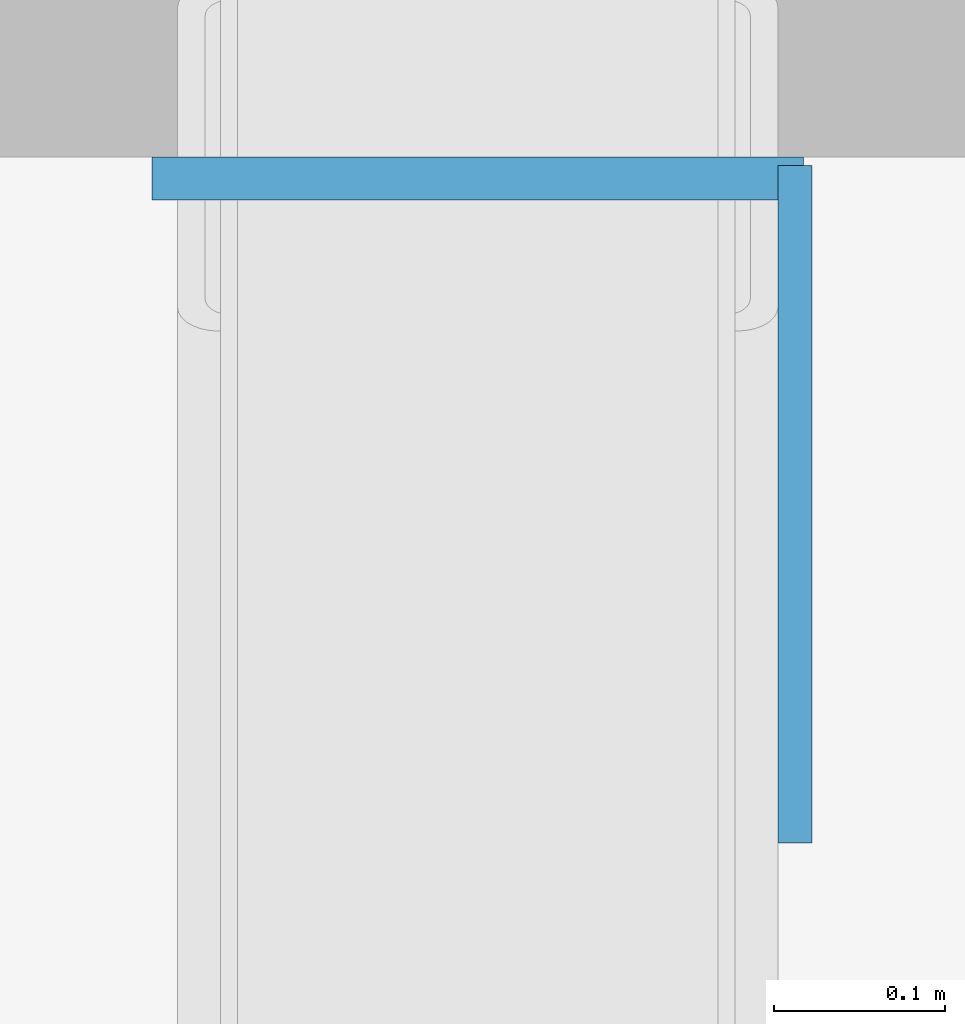
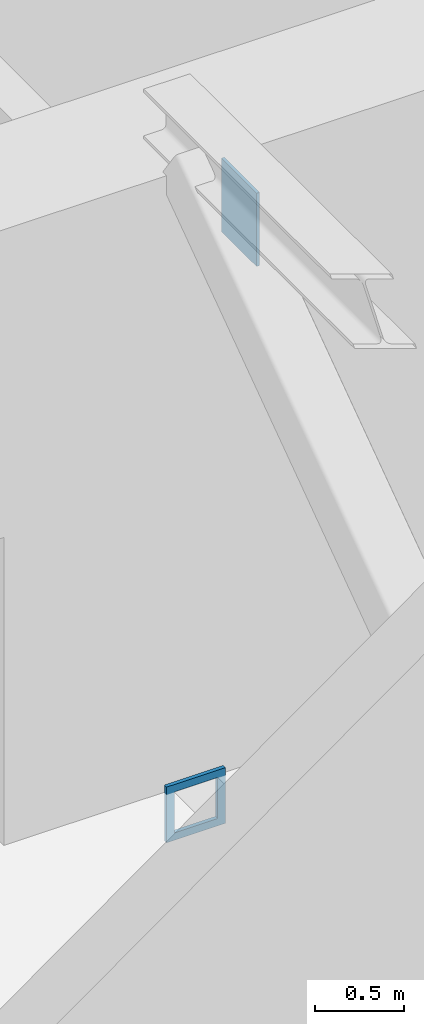
# One storey, part 15 of 26: 2 discrete accessories.
"""IFC4 building model written with IfcOpenShell, lengths in metres."""

from ifc_helpers import new_model, si_unit, direction, frame, origin, place, context, subcontext, project, spatial, polyline, outline, extrude, material, layer, layer_set, type_object, element, save


model = new_model("IFC4")

# Units and contexts
model_context = context("Model", 3, precision=1e-05, world=origin(), true_north=direction((0.0, 1.0)))
body_context = subcontext(model_context, "Body", "Model", "MODEL_VIEW")
ifc_project = project(units=[si_unit("LENGTHUNIT", "METRE"), si_unit("AREAUNIT", "SQUARE_METRE"), si_unit("VOLUMEUNIT", "CUBIC_METRE"), si_unit("PLANEANGLEUNIT", "RADIAN"), si_unit("MASSUNIT", "GRAM", prefix="KILO")], contexts=[model_context])

# Site, building, storey
site_placement = place(None, origin())
site = spatial("IfcSite", under=ifc_project, at=site_placement, CompositionType="ELEMENT")
building_placement = place(site_placement, origin())
building = spatial("IfcBuilding", under=site, at=building_placement, Name="Kajstack Hotel Tower", CompositionType="ELEMENT")
storey_placement = place(building_placement, frame((0.0, 0.0, 206.5)))
storey = spatial("IfcBuildingStorey", under=building, at=storey_placement, Name="L50", CompositionType="ELEMENT", Elevation=206.5)

# Discrete accessories
ifc_material = material(Name="Steel S355J2", Category="steel")
ifc_layer_1 = layer(ifc_material, 0.02490234375)
ifc_layer_set_1 = layer_set([ifc_layer_1], Name="CAST-IN PLATE")
discrete_accessory_type_1 = type_object("IfcDiscreteAccessoryType", Name="CAST-IN PLATE", PredefinedType="BRACKET", material=ifc_layer_set_1)
discrete_accessory_1_placement = place(storey_placement, frame((18.0, 1.47509765625, -0.139892578125), z_axis=(0.0, 1.0, 0.0), x_axis=(-1.0, 0.0, 0.0)))
element("IfcDiscreteAccessory", 1, at=discrete_accessory_1_placement, inside=storey, type_object=discrete_accessory_type_1, Name="Cast-in plate L50-019", PredefinedType="BRACKET", context=body_context, shape_type="SweptSolid", body=[
    extrude(outline(polyline([(-0.18994140625, -0.18994140625), (0.18994140625, -0.18994140625), (0.18994140625, 0.18994140625), (-0.18994140625, 0.18994140625), (-0.18994140625, -0.18994140625)]), holes=[polyline([(-0.139892578125, -0.139892578125), (-0.139892578125, 0.139892578125), (0.139892578125, 0.139892578125), (0.139892578125, -0.139892578125), (-0.139892578125, -0.139892578125)])]), origin(), (0.0, 0.0, 1.0), 0.02490234375),
])
ifc_layer_2 = layer(ifc_material, 0.02001953125)
ifc_layer_set_2 = layer_set([ifc_layer_2], Name="GUSSET PLATE")
discrete_accessory_type_2 = type_object("IfcDiscreteAccessoryType", Name="GUSSET PLATE", PredefinedType="BRACKET", material=ifc_layer_set_2)
discrete_accessory_2_placement = place(storey_placement, frame((18.175048828125, 1.5, 3.699951171875), z_axis=(1.0, 0.0, 0.0), x_axis=(0.0, 1.0, 0.0)))
element("IfcDiscreteAccessory", 2, at=discrete_accessory_2_placement, inside=storey, type_object=discrete_accessory_type_2, Name="Gusset plate L50-586", PredefinedType="BRACKET", context=body_context, shape_type="SweptSolid", body=[
    extrude(outline(polyline([(-0.39990234375, 0.0), (-0.0048828125, 0.0), (-0.0048828125, 0.5), (-0.39990234375, 0.5), (-0.39990234375, 0.0)])), origin(), (0.0, 0.0, 1.0), 0.02001953125),
])

save(model, "model.ifc")
